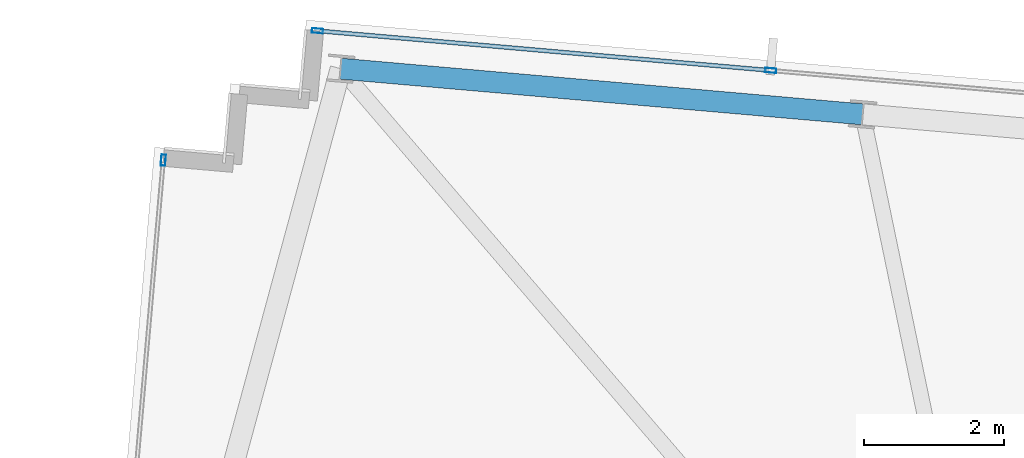
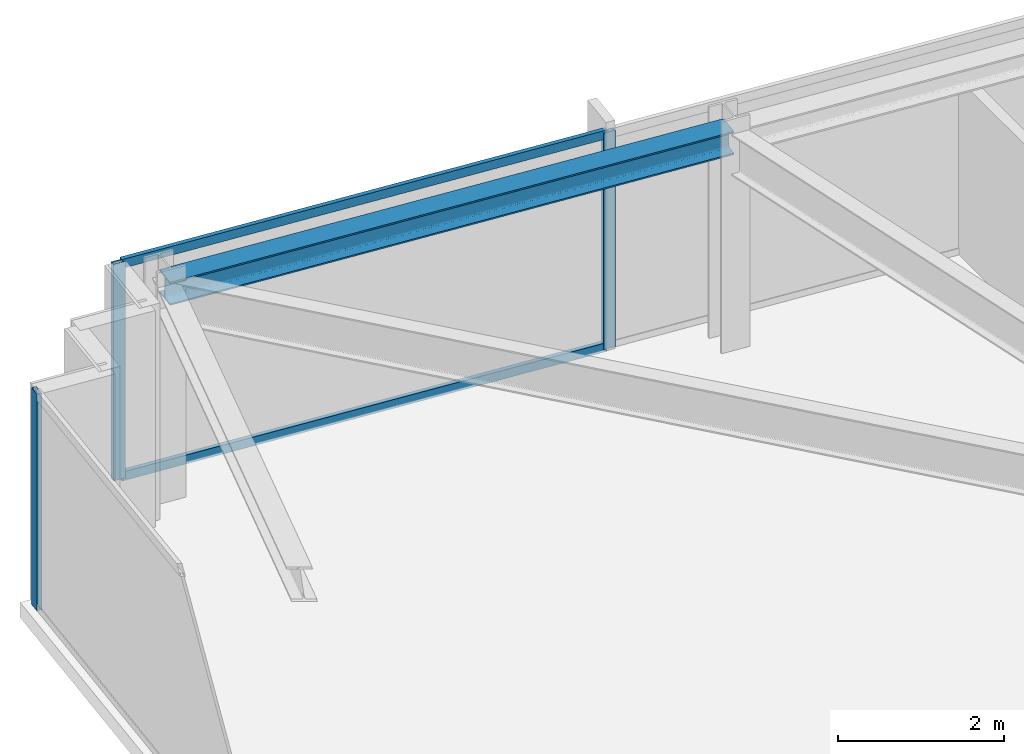
# One storey, part 23 of 33: 5 members, 1 beam, 2 elements without a shape of their own.
"""IFC4 building model written with IfcOpenShell, lengths in metres."""

from ifc_helpers import new_model, si_unit, direction, frame, origin, origin_2d, place, context, subcontext, project, spatial, hollow_rectangle, i_section, extrude, material, material_profile, profile_set, type_object, element, aggregate, save


model = new_model("IFC4")

# Units and contexts
model_context = context("Model", 3, precision=1e-05, world=origin(), true_north=direction((0.0, 1.0)))
body_context = subcontext(model_context, "Body", "Model", "MODEL_VIEW")
ifc_project = project(units=[si_unit("LENGTHUNIT", "METRE"), si_unit("AREAUNIT", "SQUARE_METRE"), si_unit("VOLUMEUNIT", "CUBIC_METRE"), si_unit("PLANEANGLEUNIT", "RADIAN"), si_unit("MASSUNIT", "GRAM", prefix="KILO")], contexts=[model_context])

# Site, building, storey
site_placement = place(None, origin())
site = spatial("IfcSite", under=ifc_project, at=site_placement, CompositionType="ELEMENT")
building_placement = place(site_placement, origin())
building = spatial("IfcBuilding", under=site, at=building_placement, Name="Yelkora Congress Tower", CompositionType="ELEMENT")
storey_placement = place(building_placement, frame((0.0, 0.0, 289.699951171875)))
storey = spatial("IfcBuildingStorey", under=building, at=storey_placement, Name="L81", CompositionType="ELEMENT", Elevation=289.699951171875)

# Beam
ifc_material_1 = material(Name="Steel S355J2", Category="steel")
ifc_material_profile_1 = material_profile(ifc_material_1, i_section(OverallWidth=0.300048828125, OverallDepth=0.340087890625, WebThickness=0.011962890625, FlangeThickness=0.021484375, FilletRadius=0.027099609375, at=origin_2d()), Name="HEB 340")
ifc_profile_set_1 = profile_set([ifc_material_profile_1], Name="Steel S355J2")
beam_type = type_object("IfcBeamType", Name="BM-SPAN-HEB340", PredefinedType="SPANDREL", material=ifc_profile_set_1)
beam_placement = place(storey_placement, frame((18.058837890625, 49.231689453125, 3.010009765625), z_axis=(-0.996193186297, 0.08717302092, 0.0), x_axis=(-0.08717302092, -0.996193186297, 0.0)))
element("IfcBeam", 1, at=beam_placement, inside=storey, type_object=beam_type, Name="L81 Perimeter Beam 12", PredefinedType="SPANDREL", context=body_context, shape_type="SweptSolid", body=[
    extrude(i_section(OverallWidth=0.300048828125, OverallDepth=0.340087890625, WebThickness=0.011962890625, FlangeThickness=0.021484375, FilletRadius=0.027099609375, at=origin_2d()), origin(), (0.0, 0.0, 1.0), 7.4833984375),
])

# Curtain wall, member
ifc_material_2 = material(Name="Anodised aluminium and insulated glass", Category="aluminium")
curtain_wall_type = type_object("IfcCurtainWallType", Name="CW-SYS-B5", PredefinedType="NOTDEFINED", material=ifc_material_2)
curtain_wall_1_placement = place(storey_placement, origin())
curtain_wall_1 = element("IfcCurtainWall", 2, at=curtain_wall_1_placement, inside=storey, type_object=curtain_wall_type, Name="L81 Unitised Curtain Wall 5", PredefinedType="NOTDEFINED")
ifc_material_3 = material(Name="Anodised aluminium 6063-T6", Category="aluminium")
ifc_material_profile_2 = material_profile(ifc_material_3, hollow_rectangle(XDim=0.06494140625, YDim=0.159912109375, WallThickness=0.00390625, at=origin_2d()), Name="ALU 65x160x4")
ifc_profile_set_2 = profile_set([ifc_material_profile_2], Name="Anodised aluminium 6063-T6")
member_type_1 = type_object("IfcMemberType", Name="MEM-ML-B5", PredefinedType="MULLION", material=ifc_profile_set_2)
member_1_placement = place(storey_placement, frame((8.070556640625, 48.577392578125, 0.0), z_axis=(0.0, 0.0, 1.0), x_axis=(-0.996194785929, 0.08715473876, 0.0)))
member_1 = element("IfcMember", 3, at=member_1_placement, type_object=member_type_1, Name="CW-B5 mullion 5", PredefinedType="MULLION", context=body_context, shape_type="SweptSolid", body=[
    extrude(hollow_rectangle(XDim=0.06494140625, YDim=0.159912109375, WallThickness=0.00390625, at=origin_2d()), origin(), (0.0, 0.0, 1.0), 3.179931640625),
])
aggregate(curtain_wall_1, [member_1])

# Curtain wall, members
curtain_wall_2_placement = place(storey_placement, origin())
curtain_wall_2 = element("IfcCurtainWall", 4, at=curtain_wall_2_placement, inside=storey, type_object=curtain_wall_type, Name="L81 Unitised Curtain Wall 10", PredefinedType="NOTDEFINED")
member_2_placement = place(storey_placement, frame((10.2724609375, 50.425048828125, 0.0), z_axis=(0.0, 0.0, 1.0), x_axis=(0.087156639893, 0.996194619601, 0.0)))
member_2 = element("IfcMember", 5, at=member_2_placement, type_object=member_type_1, Name="CW-B5 mullion 1", PredefinedType="MULLION", context=body_context, shape_type="SweptSolid", body=[
    extrude(hollow_rectangle(XDim=0.06494140625, YDim=0.159912109375, WallThickness=0.00390625, at=origin_2d()), origin(), (0.0, 0.0, 1.0), 3.179931640625),
])
member_3_placement = place(storey_placement, frame((16.74658203125, 49.858642578125, 0.0), z_axis=(0.0, 0.0, 1.0), x_axis=(0.087156639893, 0.996194619601, 0.0)))
member_3 = element("IfcMember", 6, at=member_3_placement, type_object=member_type_1, Name="CW-B5 mullion 2", PredefinedType="MULLION", context=body_context, shape_type="SweptSolid", body=[
    extrude(hollow_rectangle(XDim=0.06494140625, YDim=0.159912109375, WallThickness=0.00390625, at=origin_2d()), origin(), (0.0, 0.0, 1.0), 3.179931640625),
])
ifc_material_profile_3 = material_profile(ifc_material_3, hollow_rectangle(XDim=0.06005859375, YDim=0.1298828125, WallThickness=0.00390625, at=origin_2d()), Name="ALU 60x130x4")
ifc_profile_set_3 = profile_set([ifc_material_profile_3], Name="Anodised aluminium 6063-T6")
member_type_2 = type_object("IfcMemberType", Name="MEM-TR-B5", PredefinedType="USERDEFINED", material=ifc_profile_set_3)
member_4_placement = place(storey_placement, frame((10.3046875, 50.422119140625, 0.030029296875), z_axis=(0.996194170551, -0.08716177236, 0.0), x_axis=(0.08716177236, 0.996194170551, 0.0)))
member_4 = element("IfcMember", 7, at=member_4_placement, type_object=member_type_2, Name="CW-B5 transom 1.1", ObjectType="TRANSOM", PredefinedType="USERDEFINED", context=body_context, shape_type="SweptSolid", body=[
    extrude(hollow_rectangle(XDim=0.06005859375, YDim=0.1298828125, WallThickness=0.00390625, at=origin_2d()), origin(), (0.0, 0.0, 1.0), 6.433837890625),
])
member_5_placement = place(storey_placement, frame((10.3046875, 50.422119140625, 3.150146484375), z_axis=(0.996194170551, -0.08716177236, 0.0), x_axis=(0.08716177236, 0.996194170551, 0.0)))
member_5 = element("IfcMember", 8, at=member_5_placement, type_object=member_type_2, Name="CW-B5 transom 1.2", ObjectType="TRANSOM", PredefinedType="USERDEFINED", context=body_context, shape_type="SweptSolid", body=[
    extrude(hollow_rectangle(XDim=0.06005859375, YDim=0.1298828125, WallThickness=0.00390625, at=origin_2d()), origin(), (0.0, 0.0, 1.0), 6.433837890625),
])
aggregate(curtain_wall_2, [member_2, member_3, member_4, member_5])

save(model, "model.ifc")
